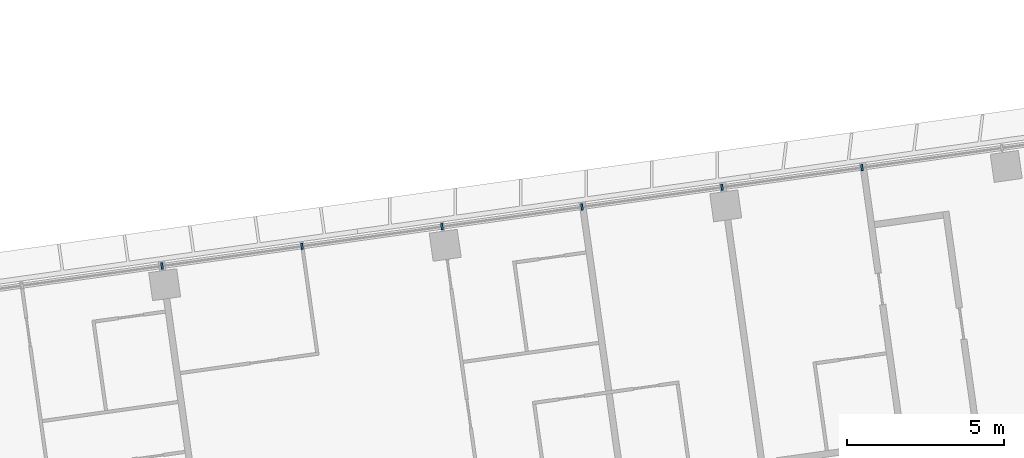
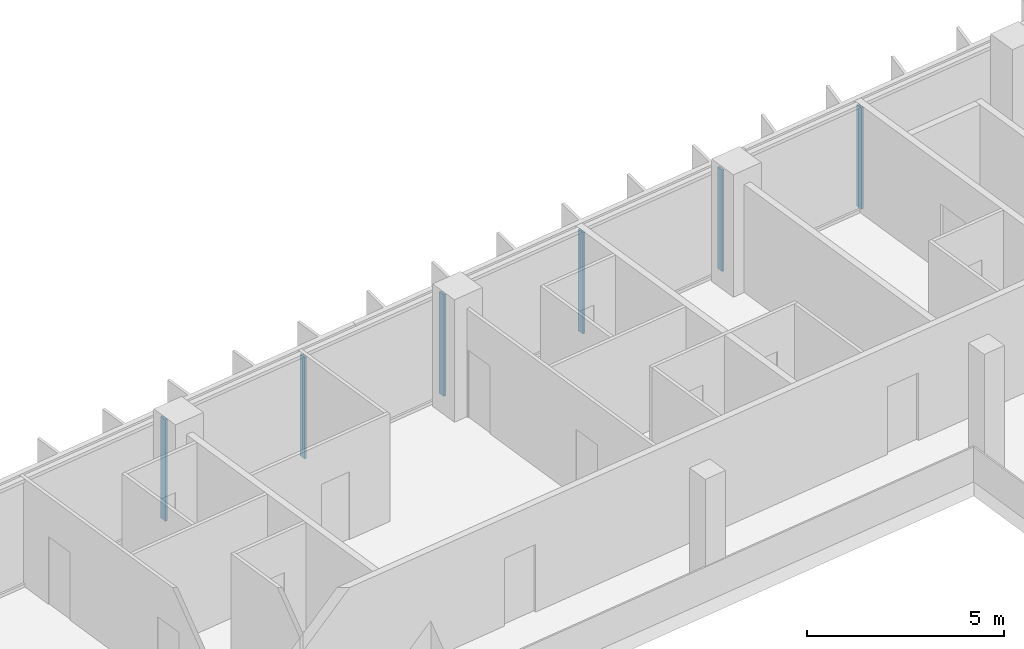
# One storey, part 10 of 27: 6 members, 1 element without a shape of its own.
"""IFC4 building model written with IfcOpenShell, lengths in metres."""

from ifc_helpers import new_model, si_unit, direction, frame, origin, origin_2d, place, context, subcontext, project, spatial, rectangle, extrude, material, material_profile, profile_set, type_object, element, aggregate, save


model = new_model("IFC4")

# Units and contexts
model_context = context("Model", 3, precision=1e-05, world=origin(), true_north=direction((0.0, 1.0)))
body_context = subcontext(model_context, "Body", "Model", "MODEL_VIEW")
ifc_project = project(units=[si_unit("LENGTHUNIT", "METRE"), si_unit("AREAUNIT", "SQUARE_METRE"), si_unit("VOLUMEUNIT", "CUBIC_METRE"), si_unit("PLANEANGLEUNIT", "RADIAN"), si_unit("MASSUNIT", "GRAM", prefix="KILO")], contexts=[model_context])

# Site, building, storey
site_placement = place(None, origin())
site = spatial("IfcSite", under=ifc_project, at=site_placement, CompositionType="ELEMENT")
building_placement = place(site_placement, origin())
building = spatial("IfcBuilding", under=site, at=building_placement, Name="Mirante Cascada Hotel Towers", CompositionType="ELEMENT")
storey_placement = place(building_placement, frame((0.0, 0.0, 117.7)))
storey = spatial("IfcBuildingStorey", under=building, at=storey_placement, Name="L26", CompositionType="ELEMENT", Elevation=117.7)

# Curtain wall, members
ifc_material_1 = material(Name="Aluminium mullion and transom frame with clear laminated glass", Category="aluminium")
curtain_wall_type = type_object("IfcCurtainWallType", Name="Ribbon curtain wall ECW1", PredefinedType="NOTDEFINED", material=ifc_material_1)
curtain_wall_placement = place(storey_placement, origin())
curtain_wall = element("IfcCurtainWall", 1, at=curtain_wall_placement, inside=storey, type_object=curtain_wall_type, Name="Front ribbon wall T2 L26", PredefinedType="NOTDEFINED")
ifc_material_2 = material(Name="Anodised aluminium extrusion", Category="aluminium")
ifc_material_profile = material_profile(ifc_material_2, rectangle(XDim=0.2, YDim=0.065, at=origin_2d()), Name="ECW1 MULLION 65x200")
ifc_profile_set = profile_set([ifc_material_profile], Name="Anodised aluminium extrusion")
member_type = type_object("IfcMemberType", Name="ECW1 mullion 65x200", PredefinedType="MULLION", material=ifc_profile_set)
member_1_placement = place(storey_placement, frame((85.2633, 24.802, 0.1), z_axis=(0.0, 0.0, 1.0), x_axis=(0.1391731, -0.9902681, 0.0)))
member_1 = element("IfcMember", 2, at=member_1_placement, type_object=member_type, Name="ECW1 mullion 3", PredefinedType="MULLION", context=body_context, shape_type="SweptSolid", body=[
    extrude(rectangle(XDim=0.2, YDim=0.065, at=origin_2d()), origin(), (0.0, 0.0, 1.0), 3.15),
])
member_2_placement = place(storey_placement, frame((80.8159, 24.177, 0.1), z_axis=(0.0, 0.0, 1.0), x_axis=(0.1391731, -0.9902681, 0.0)))
member_2 = element("IfcMember", 3, at=member_2_placement, type_object=member_type, Name="ECW1 mullion 4", PredefinedType="MULLION", context=body_context, shape_type="SweptSolid", body=[
    extrude(rectangle(XDim=0.2, YDim=0.065, at=origin_2d()), origin(), (0.0, 0.0, 1.0), 3.15),
])
member_3_placement = place(storey_placement, frame((76.3685, 23.5519, 0.1), z_axis=(0.0, 0.0, 1.0), x_axis=(0.1391731, -0.9902681, 0.0)))
member_3 = element("IfcMember", 4, at=member_3_placement, type_object=member_type, Name="ECW1 mullion 5", PredefinedType="MULLION", context=body_context, shape_type="SweptSolid", body=[
    extrude(rectangle(XDim=0.2, YDim=0.065, at=origin_2d()), origin(), (0.0, 0.0, 1.0), 3.15),
])
member_4_placement = place(storey_placement, frame((71.9211, 22.9269, 0.1), z_axis=(0.0, 0.0, 1.0), x_axis=(0.1391731, -0.9902681, 0.0)))
member_4 = element("IfcMember", 5, at=member_4_placement, type_object=member_type, Name="ECW1 mullion 6", PredefinedType="MULLION", context=body_context, shape_type="SweptSolid", body=[
    extrude(rectangle(XDim=0.2, YDim=0.065, at=origin_2d()), origin(), (0.0, 0.0, 1.0), 3.15),
])
member_5_placement = place(storey_placement, frame((67.4737, 22.3018, 0.1), z_axis=(0.0, 0.0, 1.0), x_axis=(0.1391731, -0.9902681, 0.0)))
member_5 = element("IfcMember", 6, at=member_5_placement, type_object=member_type, Name="ECW1 mullion 7", PredefinedType="MULLION", context=body_context, shape_type="SweptSolid", body=[
    extrude(rectangle(XDim=0.2, YDim=0.065, at=origin_2d()), origin(), (0.0, 0.0, 1.0), 3.15),
])
member_6_placement = place(storey_placement, frame((63.0262, 21.6768, 0.1), z_axis=(0.0, 0.0, 1.0), x_axis=(0.1391731, -0.9902681, 0.0)))
member_6 = element("IfcMember", 7, at=member_6_placement, type_object=member_type, Name="ECW1 mullion 8", PredefinedType="MULLION", context=body_context, shape_type="SweptSolid", body=[
    extrude(rectangle(XDim=0.2, YDim=0.065, at=origin_2d()), origin(), (0.0, 0.0, 1.0), 3.15),
])
aggregate(curtain_wall, [member_1, member_2, member_3, member_4, member_5, member_6])

save(model, "model.ifc")
